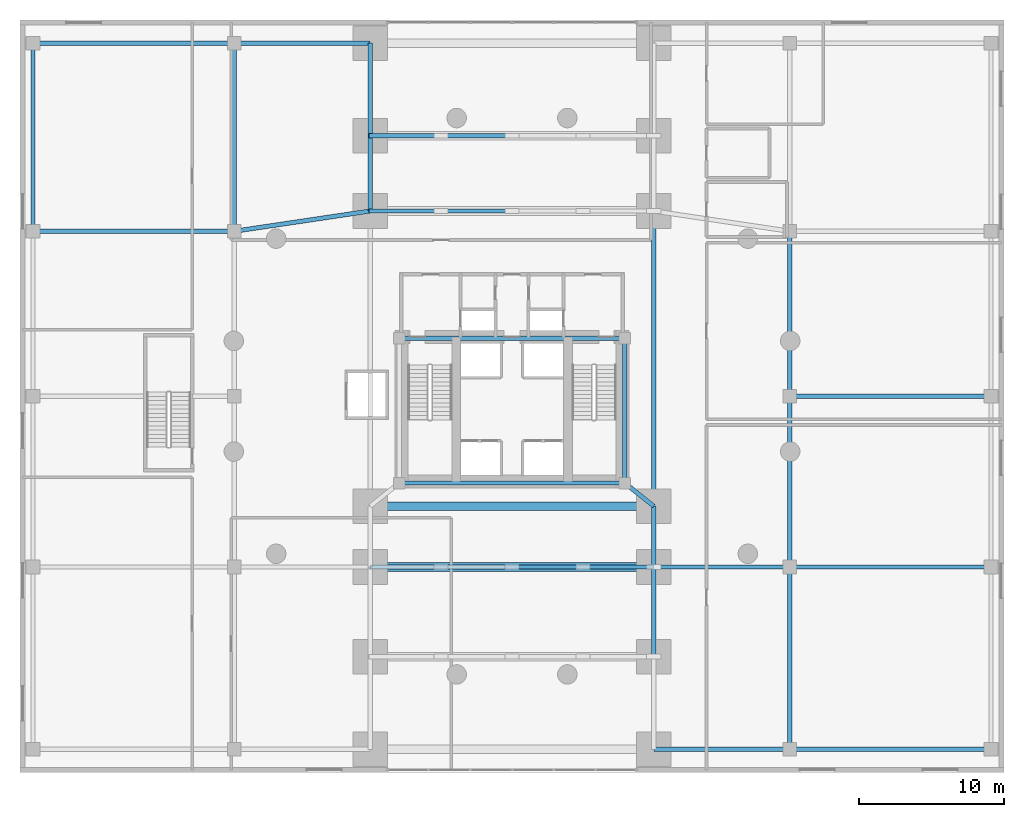
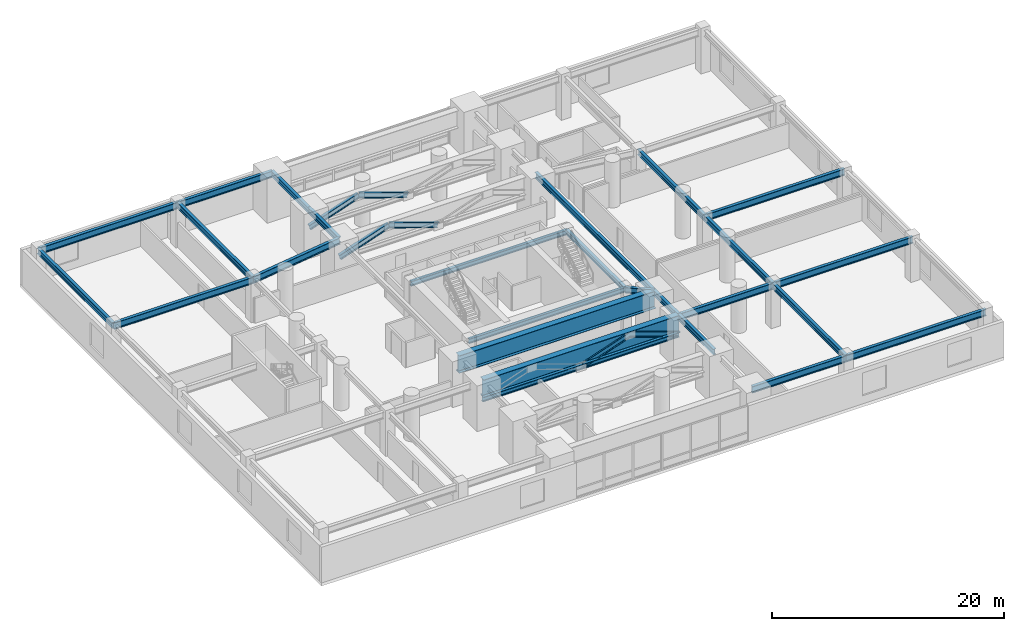
# One storey, part 9 of 17: 25 beams, 7 members.
"""IFC4 building model written with IfcOpenShell, lengths in metres."""

from ifc_helpers import new_model, si_unit, direction, frame, origin, origin_2d, place, context, subcontext, project, spatial, i_section, extrude, material, material_profile, profile_set, type_object, element, save


model = new_model("IFC4")

# Units and contexts
model_context = context("Model", 3, precision=1e-05, world=origin(), true_north=direction((0.0, 1.0)))
body_context = subcontext(model_context, "Body", "Model", "MODEL_VIEW")
ifc_project = project(units=[si_unit("LENGTHUNIT", "METRE"), si_unit("AREAUNIT", "SQUARE_METRE"), si_unit("VOLUMEUNIT", "CUBIC_METRE"), si_unit("PLANEANGLEUNIT", "RADIAN"), si_unit("MASSUNIT", "GRAM", prefix="KILO"), si_unit("THERMODYNAMICTEMPERATUREUNIT", "KELVIN"), si_unit("POWERUNIT", "WATT")], contexts=[model_context])

# Site, building, storey
site_placement = place(None, origin())
site = spatial("IfcSite", under=ifc_project, at=site_placement, CompositionType="ELEMENT")
building_placement = place(site_placement, origin())
building = spatial("IfcBuilding", under=site, at=building_placement, Name="Ocrelia Relay Tower", CompositionType="ELEMENT")
storey_placement = place(building_placement, frame((0.0, 0.0, 15.60009765625)))
storey = spatial("IfcBuildingStorey", under=building, at=storey_placement, Name="L03", CompositionType="ELEMENT", Elevation=15.60009765625)

# Beams
ifc_material = material(Name="Steel S355", Category="steel")
ifc_material_profile_1 = material_profile(ifc_material, i_section(OverallWidth=0.300048828125, OverallDepth=0.5, WebThickness=0.014404296875, FlangeThickness=0.028076171875, FilletRadius=0.027099609375, at=origin_2d()), Name="HEB 500")
ifc_profile_set_1 = profile_set([ifc_material_profile_1], Name="Steel S355")
beam_type_1 = type_object("IfcBeamType", Name="BM-HEB500", PredefinedType="BEAM", material=ifc_profile_set_1)
for number, where, z_axis, x_axis, name in (
    (1, (26.199951171875, 20.0, 4.22998046875), (1.0, 0.0, 0.0), (0.0, 1.0, 0.0), "L03 Core Pilaster Tie Beam S"),
    (2, (26.199951171875, 30.0, 4.22998046875), (1.0, 0.0, 0.0), (0.0, 1.0, 0.0), "L03 Core Pilaster Tie Beam N"),
):
    element("IfcBeam", number, at=place(storey_placement, frame(where, z_axis=z_axis, x_axis=x_axis)), inside=storey, type_object=beam_type_1, Name=name, PredefinedType="BEAM", context=body_context, shape_type="SweptSolid", body=[
        extrude(i_section(OverallWidth=0.300048828125, OverallDepth=0.5, WebThickness=0.014404296875, FlangeThickness=0.028076171875, FilletRadius=0.027099609375, at=origin_2d()), origin(), (0.0, 0.0, 1.0), 15.60009765625),
    ])
beam_1_placement = place(storey_placement, frame((41.800048828125, 20.0, 4.22998046875), z_axis=(0.0, 1.0, 0.0), x_axis=(-1.0, 0.0, 0.0)))
element("IfcBeam", 3, at=beam_1_placement, inside=storey, type_object=beam_type_1, Name="L03 Core Pilaster Tie Beam E", PredefinedType="BEAM", context=body_context, shape_type="SweptSolid", body=[
    extrude(i_section(OverallWidth=0.300048828125, OverallDepth=0.5, WebThickness=0.014404296875, FlangeThickness=0.028076171875, FilletRadius=0.027099609375, at=origin_2d()), origin(), (0.0, 0.0, 1.0), 10.0),
])
ifc_material_profile_2 = material_profile(ifc_material, i_section(OverallWidth=0.300048828125, OverallDepth=0.60009765625, WebThickness=0.015380859375, FlangeThickness=0.030029296875, FilletRadius=0.027099609375, at=origin_2d()), Name="HEB 600")
ifc_profile_set_2 = profile_set([ifc_material_profile_2], Name="Steel S355")
beam_type_2 = type_object("IfcBeamType", Name="BM-HEB600", PredefinedType="BEAM", material=ifc_profile_set_2)
for number, where, z_axis, x_axis, name in (
    (4, (0.89990234375, 37.39990234375, 4.179931640625), (0.0, 1.0, 0.0), (-1.0, 0.0, 0.0), "L03 Podium Span Girder W-4"),
    (5, (14.800048828125, 37.39990234375, 4.179931640625), (0.0, 1.0, 0.0), (-1.0, 0.0, 0.0), "L03 Podium Span Girder IW-4"),
):
    element("IfcBeam", number, at=place(storey_placement, frame(where, z_axis=z_axis, x_axis=x_axis)), inside=storey, type_object=beam_type_2, Name=name, PredefinedType="BEAM", context=body_context, shape_type="SweptSolid", body=[
        extrude(i_section(OverallWidth=0.300048828125, OverallDepth=0.60009765625, WebThickness=0.015380859375, FlangeThickness=0.030029296875, FilletRadius=0.027099609375, at=origin_2d()), origin(), (0.0, 0.0, 1.0), 13.0),
    ])
beam_2_placement = place(storey_placement, frame((53.199951171875, 1.60009765625, 4.179931640625), z_axis=(0.0, 1.0, 0.0), x_axis=(-1.0, 0.0, 0.0)))
element("IfcBeam", 6, at=beam_2_placement, inside=storey, type_object=beam_type_2, Name="L03 Podium Span Girder IE-1", PredefinedType="BEAM", context=body_context, shape_type="SweptSolid", body=[
    extrude(i_section(OverallWidth=0.300048828125, OverallDepth=0.60009765625, WebThickness=0.015380859375, FlangeThickness=0.030029296875, FilletRadius=0.027099609375, at=origin_2d()), origin(), (0.0, 0.0, 1.0), 12.599853515625),
])
beam_3_placement = place(storey_placement, frame((53.199951171875, 14.199951171875, 4.179931640625), z_axis=(0.0, 1.0, 0.0), x_axis=(-1.0, 0.0, 0.0)))
element("IfcBeam", 7, at=beam_3_placement, inside=storey, type_object=beam_type_2, Name="L03 Podium Span Girder IE-2", PredefinedType="BEAM", context=body_context, shape_type="SweptSolid", body=[
    extrude(i_section(OverallWidth=0.300048828125, OverallDepth=0.60009765625, WebThickness=0.015380859375, FlangeThickness=0.030029296875, FilletRadius=0.027099609375, at=origin_2d()), origin(), (0.0, 0.0, 1.0), 11.800048828125),
])
beam_4_placement = place(storey_placement, frame((53.199951171875, 26.0, 4.179931640625), z_axis=(0.0, 1.0, 0.0), x_axis=(-1.0, 0.0, 0.0)))
element("IfcBeam", 8, at=beam_4_placement, inside=storey, type_object=beam_type_2, Name="L03 Podium Span Girder IE-3", PredefinedType="BEAM", context=body_context, shape_type="SweptSolid", body=[
    extrude(i_section(OverallWidth=0.300048828125, OverallDepth=0.60009765625, WebThickness=0.015380859375, FlangeThickness=0.030029296875, FilletRadius=0.027099609375, at=origin_2d()), origin(), (0.0, 0.0, 1.0), 11.39990234375),
])
beam_5_placement = place(storey_placement, frame((24.199951171875, 38.800048828125, 4.179931640625), z_axis=(0.0, 1.0, 0.0), x_axis=(-1.0, 0.0, 0.0)))
element("IfcBeam", 9, at=beam_5_placement, inside=storey, type_object=beam_type_2, Name="L03 Pier Line Tie Girder AW-4", PredefinedType="BEAM", context=body_context, shape_type="SweptSolid", body=[
    extrude(i_section(OverallWidth=0.300048828125, OverallDepth=0.60009765625, WebThickness=0.015380859375, FlangeThickness=0.030029296875, FilletRadius=0.027099609375, at=origin_2d()), origin(), (0.0, 0.0, 1.0), 5.199951171875),
])
beam_6_placement = place(storey_placement, frame((24.199951171875, 44.0, 4.179931640625), z_axis=(0.0, 1.0, 0.0), x_axis=(-1.0, 0.0, 0.0)))
element("IfcBeam", 10, at=beam_6_placement, inside=storey, type_object=beam_type_2, Name="L03 Pier Line Tie Girder AW-5", PredefinedType="BEAM", context=body_context, shape_type="SweptSolid", body=[
    extrude(i_section(OverallWidth=0.300048828125, OverallDepth=0.60009765625, WebThickness=0.015380859375, FlangeThickness=0.030029296875, FilletRadius=0.027099609375, at=origin_2d()), origin(), (0.0, 0.0, 1.0), 6.39990234375),
])
beam_7_placement = place(storey_placement, frame((43.800048828125, 8.0, 4.179931640625), z_axis=(0.0, 1.0, 0.0), x_axis=(-1.0, 0.0, 0.0)))
element("IfcBeam", 11, at=beam_7_placement, inside=storey, type_object=beam_type_2, Name="L03 Pier Line Tie Girder AE-2", PredefinedType="BEAM", context=body_context, shape_type="SweptSolid", body=[
    extrude(i_section(OverallWidth=0.300048828125, OverallDepth=0.60009765625, WebThickness=0.015380859375, FlangeThickness=0.030029296875, FilletRadius=0.027099609375, at=origin_2d()), origin(), (0.0, 0.0, 1.0), 6.199951171875),
])
beam_8_placement = place(storey_placement, frame((43.800048828125, 14.199951171875, 4.179931640625), z_axis=(0.0, 1.0, 0.0), x_axis=(-1.0, 0.0, 0.0)))
element("IfcBeam", 12, at=beam_8_placement, inside=storey, type_object=beam_type_2, Name="L03 Pier Line Tie Girder AE-3", PredefinedType="BEAM", context=body_context, shape_type="SweptSolid", body=[
    extrude(i_section(OverallWidth=0.300048828125, OverallDepth=0.60009765625, WebThickness=0.015380859375, FlangeThickness=0.030029296875, FilletRadius=0.027099609375, at=origin_2d()), origin(), (0.0, 0.0, 1.0), 4.199951171875),
])
beam_9_placement = place(storey_placement, frame((43.800048828125, 18.39990234375, 4.179931640625), z_axis=(0.0, 1.0, 0.0), x_axis=(-1.0, 0.0, 0.0)))
element("IfcBeam", 13, at=beam_9_placement, inside=storey, type_object=beam_type_2, Name="L03 Pier Line Tie Girder AE-6", PredefinedType="BEAM", context=body_context, shape_type="SweptSolid", body=[
    extrude(i_section(OverallWidth=0.300048828125, OverallDepth=0.60009765625, WebThickness=0.015380859375, FlangeThickness=0.030029296875, FilletRadius=0.027099609375, at=origin_2d()), origin(), (0.0, 0.0, 1.0), 20.400146484375),
])
beam_10_placement = place(storey_placement, frame((43.800048828125, 18.39990234375, 4.179931640625), z_axis=(-0.78085021034, 0.624718295724, 0.0), x_axis=(-0.624718295724, -0.78085021034, 0.0)))
element("IfcBeam", 14, at=beam_10_placement, inside=storey, type_object=beam_type_2, Name="L03 Core Pilaster Link Girder AES", PredefinedType="BEAM", context=body_context, shape_type="SweptSolid", body=[
    extrude(i_section(OverallWidth=0.300048828125, OverallDepth=0.60009765625, WebThickness=0.015380859375, FlangeThickness=0.030029296875, FilletRadius=0.027099609375, at=origin_2d()), origin(), (0.0, 0.0, 1.0), 2.561279296875),
])
ifc_material_profile_3 = material_profile(ifc_material, i_section(OverallWidth=0.300048828125, OverallDepth=0.699951171875, WebThickness=0.01708984375, FlangeThickness=0.031982421875, FilletRadius=0.027099609375, at=origin_2d()), Name="HEB 700")
ifc_profile_set_3 = profile_set([ifc_material_profile_3], Name="Steel S355")
beam_type_3 = type_object("IfcBeamType", Name="BM-HEB700", PredefinedType="BEAM", material=ifc_profile_set_3)
beam_11_placement = place(storey_placement, frame((43.800048828125, 1.60009765625, 4.1298828125), z_axis=(1.0, 0.0, 0.0), x_axis=(0.0, 1.0, 0.0)))
element("IfcBeam", 15, at=beam_11_placement, inside=storey, type_object=beam_type_3, Name="L03 East Inner Podium Girder S", PredefinedType="BEAM", context=body_context, shape_type="SweptSolid", body=[
    extrude(i_section(OverallWidth=0.300048828125, OverallDepth=0.699951171875, WebThickness=0.01708984375, FlangeThickness=0.031982421875, FilletRadius=0.027099609375, at=origin_2d()), origin(), (0.0, 0.0, 1.0), 9.39990234375),
])
beam_12_placement = place(storey_placement, frame((53.199951171875, 1.60009765625, 4.1298828125), z_axis=(1.0, 0.0, 0.0), x_axis=(0.0, 1.0, 0.0)))
element("IfcBeam", 16, at=beam_12_placement, inside=storey, type_object=beam_type_3, Name="L03 East Outer Podium Girder S", PredefinedType="BEAM", context=body_context, shape_type="SweptSolid", body=[
    extrude(i_section(OverallWidth=0.300048828125, OverallDepth=0.699951171875, WebThickness=0.01708984375, FlangeThickness=0.031982421875, FilletRadius=0.027099609375, at=origin_2d()), origin(), (0.0, 0.0, 1.0), 13.900146484375),
])
beam_13_placement = place(storey_placement, frame((43.800048828125, 14.199951171875, 4.1298828125), z_axis=(1.0, 0.0, 0.0), x_axis=(0.0, 1.0, 0.0)))
element("IfcBeam", 17, at=beam_13_placement, inside=storey, type_object=beam_type_3, Name="L03 East Inner Podium Girder M1", PredefinedType="BEAM", context=body_context, shape_type="SweptSolid", body=[
    extrude(i_section(OverallWidth=0.300048828125, OverallDepth=0.699951171875, WebThickness=0.01708984375, FlangeThickness=0.031982421875, FilletRadius=0.027099609375, at=origin_2d()), origin(), (0.0, 0.0, 1.0), 9.39990234375),
])
for number, where, z_axis, x_axis, name in (
    (18, (53.199951171875, 14.199951171875, 4.1298828125), (1.0, 0.0, 0.0), (0.0, 1.0, 0.0), "L03 East Outer Podium Girder M1"),
    (19, (0.89990234375, 37.39990234375, 4.1298828125), (1.0, 0.0, 0.0), (0.0, 1.0, 0.0), "L03 West Outer Podium Girder M2"),
):
    element("IfcBeam", number, at=place(storey_placement, frame(where, z_axis=z_axis, x_axis=x_axis)), inside=storey, type_object=beam_type_3, Name=name, PredefinedType="BEAM", context=body_context, shape_type="SweptSolid", body=[
        extrude(i_section(OverallWidth=0.300048828125, OverallDepth=0.699951171875, WebThickness=0.01708984375, FlangeThickness=0.031982421875, FilletRadius=0.027099609375, at=origin_2d()), origin(), (0.0, 0.0, 1.0), 13.900146484375),
    ])
beam_14_placement = place(storey_placement, frame((14.800048828125, 37.39990234375, 4.1298828125), z_axis=(0.989087708935, 0.14732787935, 0.0), x_axis=(-0.14732787935, 0.989087708935, 0.0)))
element("IfcBeam", 20, at=beam_14_placement, inside=storey, type_object=beam_type_3, Name="L03 West Inner Podium Girder M2", PredefinedType="BEAM", context=body_context, shape_type="SweptSolid", body=[
    extrude(i_section(OverallWidth=0.300048828125, OverallDepth=0.699951171875, WebThickness=0.01708984375, FlangeThickness=0.031982421875, FilletRadius=0.027099609375, at=origin_2d()), origin(), (0.0, 0.0, 1.0), 9.503662109375),
])
beam_15_placement = place(storey_placement, frame((0.89990234375, 50.39990234375, 4.1298828125), z_axis=(1.0, 0.0, 0.0), x_axis=(0.0, 1.0, 0.0)))
element("IfcBeam", 21, at=beam_15_placement, inside=storey, type_object=beam_type_3, Name="L03 West Outer Podium Girder N", PredefinedType="BEAM", context=body_context, shape_type="SweptSolid", body=[
    extrude(i_section(OverallWidth=0.300048828125, OverallDepth=0.699951171875, WebThickness=0.01708984375, FlangeThickness=0.031982421875, FilletRadius=0.027099609375, at=origin_2d()), origin(), (0.0, 0.0, 1.0), 13.900146484375),
])
beam_16_placement = place(storey_placement, frame((14.800048828125, 50.39990234375, 4.1298828125), z_axis=(1.0, 0.0, 0.0), x_axis=(0.0, 1.0, 0.0)))
element("IfcBeam", 22, at=beam_16_placement, inside=storey, type_object=beam_type_3, Name="L03 West Inner Podium Girder N", PredefinedType="BEAM", context=body_context, shape_type="SweptSolid", body=[
    extrude(i_section(OverallWidth=0.300048828125, OverallDepth=0.699951171875, WebThickness=0.01708984375, FlangeThickness=0.031982421875, FilletRadius=0.027099609375, at=origin_2d()), origin(), (0.0, 0.0, 1.0), 9.39990234375),
])
beam_17_placement = place(storey_placement, frame((53.199951171875, 26.0, 4.1298828125), z_axis=(1.0, 0.0, 0.0), x_axis=(0.0, 1.0, 0.0)))
element("IfcBeam", 23, at=beam_17_placement, inside=storey, type_object=beam_type_3, Name="L03 East Mid Podium Girder", PredefinedType="BEAM", context=body_context, shape_type="SweptSolid", body=[
    extrude(i_section(OverallWidth=0.300048828125, OverallDepth=0.699951171875, WebThickness=0.01708984375, FlangeThickness=0.031982421875, FilletRadius=0.027099609375, at=origin_2d()), origin(), (0.0, 0.0, 1.0), 13.900146484375),
])
ifc_material_profile_4 = material_profile(ifc_material, i_section(OverallWidth=0.60009765625, OverallDepth=1.85009765625, WebThickness=0.028076171875, FlangeThickness=0.0400390625, FilletRadius=0.02001953125, at=origin_2d()), Name="WPG 1850x600")
ifc_profile_set_4 = profile_set([ifc_material_profile_4], Name="Steel S355")
beam_type_4 = type_object("IfcBeamType", Name="BM-WPG1650", PredefinedType="T_BEAM", material=ifc_profile_set_4)
for number, where, z_axis, x_axis, name in (
    (24, (24.199951171875, 14.199951171875, 3.554931640625), (1.0, 0.0, 0.0), (0.0, 1.0, 0.0), "L03 Portal Arch Span Transfer Girder G3"),
    (25, (24.199951171875, 18.39990234375, 3.554931640625), (1.0, 0.0, 0.0), (0.0, 1.0, 0.0), "L03 Portal Arch Span Transfer Girder G4"),
):
    element("IfcBeam", number, at=place(storey_placement, frame(where, z_axis=z_axis, x_axis=x_axis)), inside=storey, type_object=beam_type_4, Name=name, PredefinedType="T_BEAM", context=body_context, shape_type="SweptSolid", body=[
        extrude(i_section(OverallWidth=0.60009765625, OverallDepth=1.85009765625, WebThickness=0.028076171875, FlangeThickness=0.0400390625, FilletRadius=0.02001953125, at=origin_2d()), origin(), (0.0, 0.0, 1.0), 19.60009765625),
    ])

# Members
ifc_material_profile_5 = material_profile(ifc_material, i_section(OverallWidth=0.300048828125, OverallDepth=0.550048828125, WebThickness=0.014892578125, FlangeThickness=0.029052734375, FilletRadius=0.027099609375, at=origin_2d()), Name="HEB 550")
ifc_profile_set_5 = profile_set([ifc_material_profile_5], Name="Steel S355")
member_type_1 = type_object("IfcMemberType", Name="MB-ARCH-DIAG", PredefinedType="BRACE", material=ifc_profile_set_5)
member_1_placement = place(storey_placement, frame((34.0, 14.199951171875, 2.349853515625), z_axis=(0.945948011629, 0.0, 0.324318299353), x_axis=(0.0, 1.0, 0.0)))
element("IfcMember", 26, at=member_1_placement, inside=storey, type_object=member_type_1, Name="L03 Warren Transfer Truss Diagonal SI-3", PredefinedType="BRACE", context=body_context, shape_type="SweptSolid", body=[
    extrude(i_section(OverallWidth=0.300048828125, OverallDepth=0.550048828125, WebThickness=0.014892578125, FlangeThickness=0.029052734375, FilletRadius=0.027099609375, at=origin_2d()), origin(), (0.0, 0.0, 1.0), 5.179931640625),
])
for number, where, z_axis, x_axis, name in (
    (27, (38.89990234375, 14.199951171875, 4.02978515625), (0.945952968798, 0.0, -0.324303840282), (0.0, 1.0, 0.0), "L03 Warren Transfer Truss Diagonal SI-4"),
    (28, (24.199951171875, 38.800048828125, 2.349853515625), (0.945952968798, 0.0, 0.324303840282), (0.0, 1.0, 0.0), "L03 Warren Transfer Truss Diagonal NI-1"),
):
    element("IfcMember", number, at=place(storey_placement, frame(where, z_axis=z_axis, x_axis=x_axis)), inside=storey, type_object=member_type_1, Name=name, PredefinedType="BRACE", context=body_context, shape_type="SweptSolid", body=[
        extrude(i_section(OverallWidth=0.300048828125, OverallDepth=0.550048828125, WebThickness=0.014892578125, FlangeThickness=0.029052734375, FilletRadius=0.027099609375, at=origin_2d()), origin(), (0.0, 0.0, 1.0), 5.18017578125),
    ])
member_2_placement = place(storey_placement, frame((29.10009765625, 38.800048828125, 4.02978515625), z_axis=(0.945948011629, 0.0, -0.324318299353), x_axis=(0.0, 1.0, 0.0)))
element("IfcMember", 29, at=member_2_placement, inside=storey, type_object=member_type_1, Name="L03 Warren Transfer Truss Diagonal NI-2", PredefinedType="BRACE", context=body_context, shape_type="SweptSolid", body=[
    extrude(i_section(OverallWidth=0.300048828125, OverallDepth=0.550048828125, WebThickness=0.014892578125, FlangeThickness=0.029052734375, FilletRadius=0.027099609375, at=origin_2d()), origin(), (0.0, 0.0, 1.0), 5.179931640625),
])
member_3_placement = place(storey_placement, frame((24.199951171875, 44.0, 2.349853515625), z_axis=(0.945952968798, 0.0, 0.324303840282), x_axis=(0.0, 1.0, 0.0)))
element("IfcMember", 30, at=member_3_placement, inside=storey, type_object=member_type_1, Name="L03 Warren Transfer Truss Diagonal N-1", PredefinedType="BRACE", context=body_context, shape_type="SweptSolid", body=[
    extrude(i_section(OverallWidth=0.300048828125, OverallDepth=0.550048828125, WebThickness=0.014892578125, FlangeThickness=0.029052734375, FilletRadius=0.027099609375, at=origin_2d()), origin(), (0.0, 0.0, 1.0), 5.18017578125),
])
member_4_placement = place(storey_placement, frame((29.10009765625, 44.0, 4.02978515625), z_axis=(0.945948011629, 0.0, -0.324318299353), x_axis=(0.0, 1.0, 0.0)))
element("IfcMember", 31, at=member_4_placement, inside=storey, type_object=member_type_1, Name="L03 Warren Transfer Truss Diagonal N-2", PredefinedType="BRACE", context=body_context, shape_type="SweptSolid", body=[
    extrude(i_section(OverallWidth=0.300048828125, OverallDepth=0.550048828125, WebThickness=0.014892578125, FlangeThickness=0.029052734375, FilletRadius=0.027099609375, at=origin_2d()), origin(), (0.0, 0.0, 1.0), 5.179931640625),
])
ifc_material_profile_6 = material_profile(ifc_material, i_section(OverallWidth=0.300048828125, OverallDepth=0.60009765625, WebThickness=0.015380859375, FlangeThickness=0.030029296875, FilletRadius=0.027099609375, at=origin_2d()), Name="HEB 600")
ifc_profile_set_6 = profile_set([ifc_material_profile_6], Name="Steel S355")
member_type_2 = type_object("IfcMemberType", Name="MB-TRUSS-CHORD", PredefinedType="CHORD", material=ifc_profile_set_6)
member_5_placement = place(storey_placement, frame((24.199951171875, 14.199951171875, 2.349853515625), z_axis=(1.0, 0.0, 0.0), x_axis=(0.0, 1.0, 0.0)))
element("IfcMember", 32, at=member_5_placement, inside=storey, type_object=member_type_2, Name="L03 Warren Transfer Truss Chord SI", PredefinedType="CHORD", context=body_context, shape_type="SweptSolid", body=[
    extrude(i_section(OverallWidth=0.300048828125, OverallDepth=0.60009765625, WebThickness=0.015380859375, FlangeThickness=0.030029296875, FilletRadius=0.027099609375, at=origin_2d()), origin(), (0.0, 0.0, 1.0), 19.60009765625),
])

save(model, "model.ifc")
